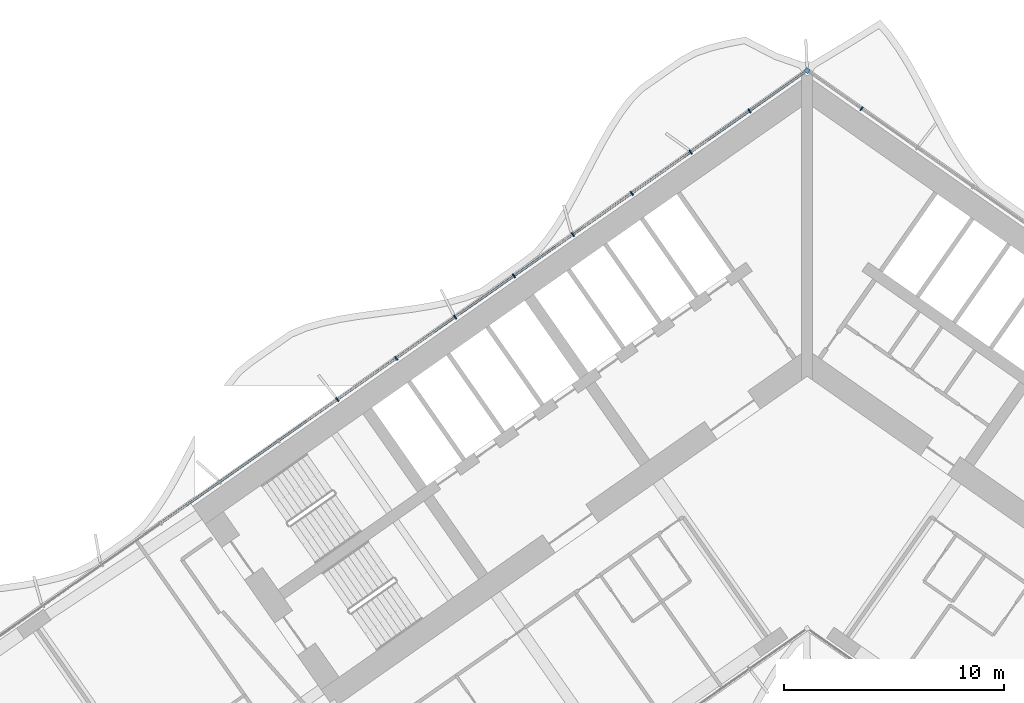
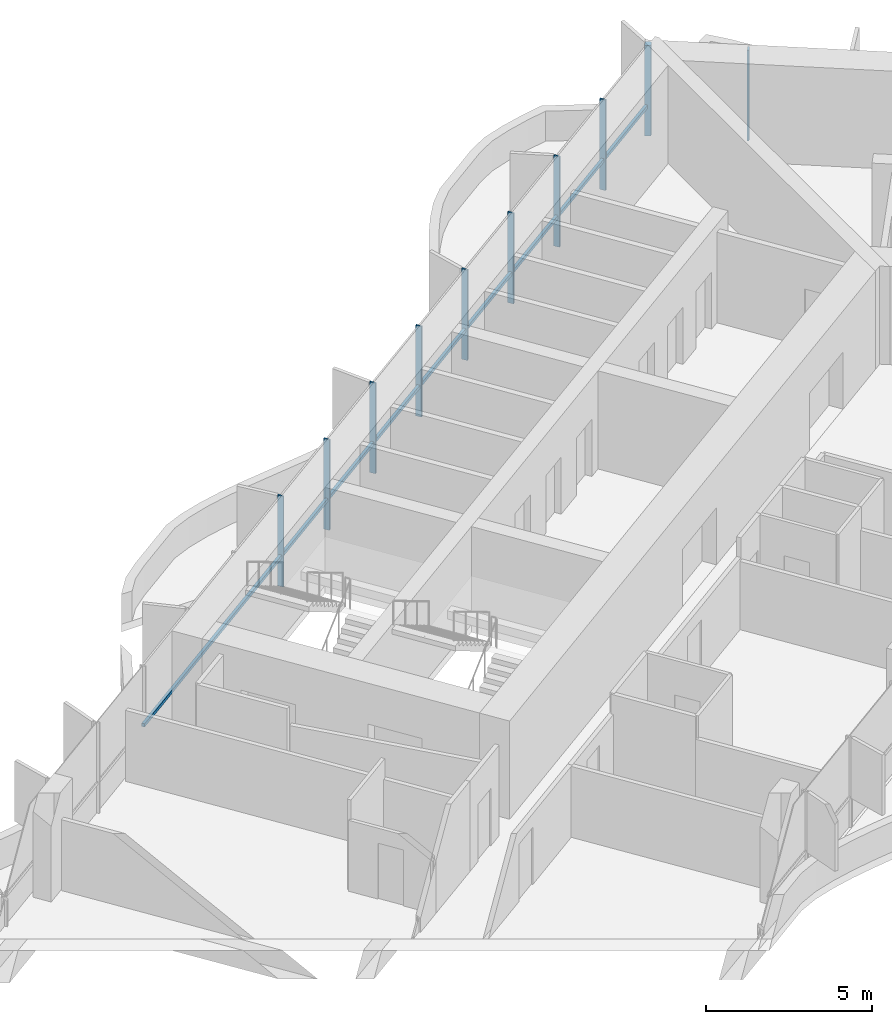
# One storey, part 7 of 25: 11 members, 1 element without a shape of its own.
"""IFC4 building model written with IfcOpenShell, lengths in metres."""

import ifcopenshell
import ifcopenshell.guid

model = None  # the IFC model being written
_history = None  # IfcOwnerHistory: only IFC2X3 demands one
_inside = {}  # id of a spatial element -> (the spatial element, [elements in it])
_under = {}  # id of a project, library or spatial element -> (it, [spatial elements below it])
_declared = {}  # id of a project -> (the project, [libraries it declares])
_typed = {}  # id of a type object -> (the type object, [elements of that type])
_made_of = {}  # id of a material, layer set ... -> (it, [elements and type objects made of it])


def new_model(schema):
    """Start an empty IFC model of exactly this schema.

    Asked for "IFC4X3", IfcOpenShell would pick the latest addendum, in which some entities
    have other attributes; the version numbers below select the first issue.
    IFC2X3 requires an IfcOwnerHistory on every rooted entity: one is made here for all.
    """
    global model, _history
    if schema == "IFC4X3":
        model = ifcopenshell.file(schema_version=(4, 3, 0, 0))
    else:
        model = ifcopenshell.file(schema=schema)
    _inside.clear()
    _under.clear()
    _declared.clear()
    _typed.clear()
    _made_of.clear()
    _history = None
    if model.schema == "IFC2X3":
        org = make("IfcOrganization", Name="unknown")
        user = make(
            "IfcPersonAndOrganization",
            ThePerson=make("IfcPerson", FamilyName="unknown"),
            TheOrganization=org,
        )
        app = make(
            "IfcApplication",
            ApplicationDeveloper=org,
            Version="unknown",
            ApplicationFullName="unknown",
            ApplicationIdentifier="unknown",
        )
        _history = make(
            "IfcOwnerHistory",
            OwningUser=user,
            OwningApplication=app,
            ChangeAction="ADDED",
            CreationDate=0,
        )
    return model


def make(cls, **values):
    """One entity of the class cls with the attributes given. An attribute that is None is left unset."""
    return model.create_entity(
        cls, **{name: value for name, value in values.items() if value is not None}
    )


def rooted(cls, **values):
    """An entity with a GlobalId (a new one), such as an element, a storey or a relation."""
    return make(cls, GlobalId=ifcopenshell.guid.new(), OwnerHistory=_history, **values)


def si_unit(unit_type, name, prefix=None):
    """IfcSIUnit, for example si_unit("LENGTHUNIT", "METRE", prefix="MILLI")."""
    return make("IfcSIUnit", UnitType=unit_type, Prefix=prefix, Name=name)


def assignment(units):
    """IfcUnitAssignment: the units of a project."""
    return None if units is None else make("IfcUnitAssignment", Units=units)


def point(xyz):
    """IfcCartesianPoint."""
    return None if xyz is None else make("IfcCartesianPoint", Coordinates=xyz)


def direction(xyz):
    """IfcDirection."""
    return None if xyz is None else make("IfcDirection", DirectionRatios=xyz)


def frame(location, z_axis=None, x_axis=None):
    """IfcAxis2Placement3D, a coordinate frame: its origin and axes. An axis left out is left unset."""
    return make(
        "IfcAxis2Placement3D",
        Location=point(location),
        Axis=direction(z_axis),
        RefDirection=direction(x_axis),
    )


def frame_2d(location, x_axis=None):
    """IfcAxis2Placement2D, a coordinate frame in the plane: its origin and x axis."""
    return make(
        "IfcAxis2Placement2D", Location=point(location), RefDirection=direction(x_axis)
    )


def origin():
    """The frame at (0, 0, 0) with its axes left unset."""
    return frame((0.0, 0.0, 0.0))


def origin_2d():
    """The frame at (0, 0) in the plane with its x axis left unset."""
    return frame_2d((0.0, 0.0))


def place(relative_to, where):
    """IfcLocalPlacement: puts the frame where relative to a parent placement (None: the world)."""
    return make(
        "IfcLocalPlacement", PlacementRelTo=relative_to, RelativePlacement=where
    )


def context(
    kind, dimensions, precision=None, world=None, true_north=None, identifier=None
):
    """IfcGeometricRepresentationContext, for example the 3D "Model" context."""
    return make(
        "IfcGeometricRepresentationContext",
        ContextIdentifier=identifier,
        ContextType=kind,
        CoordinateSpaceDimension=dimensions,
        Precision=precision,
        WorldCoordinateSystem=world,
        TrueNorth=true_north,
    )


def subcontext(parent, identifier, kind, view, scale=None):
    """IfcGeometricRepresentationSubContext, for example "Body" below "Model"."""
    return make(
        "IfcGeometricRepresentationSubContext",
        ContextIdentifier=identifier,
        ContextType=kind,
        ParentContext=parent,
        TargetScale=scale,
        TargetView=view,
    )


def project(units=None, contexts=None):
    """IfcProject with its units and contexts."""
    return rooted(
        "IfcProject",
        Name="project",
        RepresentationContexts=contexts,
        UnitsInContext=assignment(units),
    )


def spatial(cls, under=None, at=None, **own):
    """A site, building, storey or space (cls), placed at a placement, below another one or the project."""
    s = rooted(cls, ObjectPlacement=at, **own)
    if under is not None:
        _under.setdefault(under.id(), (under, []))[1].append(s)
    return s


def profile(cls, at=None, kind="AREA", **sizes):
    """A parametric profile (cls). Its sizes go by their IFC names, for example OverallWidth=200.0."""
    return make(cls, ProfileType=kind, Position=at, **sizes)


def rectangle(**sizes):
    """IfcRectangleProfileDef."""
    return profile("IfcRectangleProfileDef", **sizes)


def extrude(swept, where, along, depth):
    """IfcExtrudedAreaSolid: the profile swept, set in the frame where, extruded along a direction by depth."""
    return make(
        "IfcExtrudedAreaSolid",
        SweptArea=swept,
        Position=where,
        ExtrudedDirection=direction(along),
        Depth=depth,
    )


def shape(context_of_items, identifier, shape_type, items):
    """IfcShapeRepresentation: the items that make up one representation, for example the "Body"."""
    return make(
        "IfcShapeRepresentation",
        ContextOfItems=context_of_items,
        RepresentationIdentifier=identifier,
        RepresentationType=shape_type,
        Items=items,
    )


def material(Name=None, Category=None):
    """IfcMaterial."""
    return make("IfcMaterial", Name=Name, Category=Category)


def material_profile(
    of_material, cross_section, Name=None, Category=None, Priority=None
):
    """IfcMaterialProfile: a cross section and its material."""
    return make(
        "IfcMaterialProfile",
        Name=Name,
        Material=of_material,
        Profile=cross_section,
        Priority=Priority,
        Category=Category,
    )


def profile_set(profiles, Name=None, composite=None):
    """IfcMaterialProfileSet."""
    return make(
        "IfcMaterialProfileSet",
        Name=Name,
        MaterialProfiles=profiles,
        CompositeProfile=composite,
    )


def made_of(thing, what):
    """Note that an element or type object is made of a material, layer set ...; save() writes the relation."""
    if what is not None:
        _made_of.setdefault(what.id(), (what, []))[1].append(thing)
    return thing


def type_object(cls, material=None, **own):
    """A type object (cls), such as IfcWallType, which elements share."""
    return made_of(rooted(cls, **own), material)


def element(
    cls,
    number,
    at=None,
    inside=None,
    cuts=None,
    type_object=None,
    material=None,
    context=None,
    identifier="Body",
    shape_type=None,
    held_by="IfcProductDefinitionShape",
    body=None,
    shapes=None,
    **own,
):
    """One element of the class cls, such as IfcWall. Its Tag is "e" and its number.

    at: its placement. inside: the storey or other place that contains it. cuts: it is an
    opening in that element (IfcRelVoidsElement). A single representation is given by context,
    identifier, shape_type and body (its items); several are given by shapes. held_by: the class
    of the entity that holds the representations. save() writes the other relations.
    """
    e = rooted(cls, Tag="e%d" % number, ObjectPlacement=at, **own)
    if body is not None:
        shapes = [shape(context, identifier, shape_type, body)]
    if shapes is not None:
        e.Representation = make(held_by, Representations=shapes)
    if inside is not None:
        _inside.setdefault(inside.id(), (inside, []))[1].append(e)
    if cuts is not None:
        rooted(
            "IfcRelVoidsElement", RelatingBuildingElement=cuts, RelatedOpeningElement=e
        )
    if type_object is not None:
        _typed.setdefault(type_object.id(), (type_object, []))[1].append(e)
    return made_of(e, material)


def aggregate(whole, parts):
    """IfcRelAggregates: a whole, such as a stair, and the parts it consists of."""
    return rooted("IfcRelAggregates", RelatingObject=whole, RelatedObjects=parts)


def save(model, path):
    """Write the relations noted so far, then the file.

    IfcRelAggregates (storeys below a building ...), IfcRelContainedInSpatialStructure (elements
    in a storey), IfcRelDefinesByType, IfcRelAssociatesMaterial and IfcRelDeclares: one each for
    every whole, place, type object, material and project.
    """
    for whole, parts in _under.values():
        aggregate(whole, parts)
    for where, things in _inside.values():
        rooted(
            "IfcRelContainedInSpatialStructure",
            RelatedElements=things,
            RelatingStructure=where,
        )
    for kind, things in _typed.values():
        rooted("IfcRelDefinesByType", RelatedObjects=things, RelatingType=kind)
    for what, things in _made_of.values():
        rooted("IfcRelAssociatesMaterial", RelatedObjects=things, RelatingMaterial=what)
    for by, libraries in _declared.values():
        rooted("IfcRelDeclares", RelatingContext=by, RelatedDefinitions=libraries)
    model.write(path)


model = new_model("IFC4")

# Units and contexts
model_context = context("Model", 3, precision=1e-05, world=origin(), true_north=direction((0.0, 1.0)))
body_context = subcontext(model_context, "Body", "Model", "MODEL_VIEW")
ifc_project = project(units=[si_unit("LENGTHUNIT", "METRE"), si_unit("AREAUNIT", "SQUARE_METRE"), si_unit("VOLUMEUNIT", "CUBIC_METRE"), si_unit("PLANEANGLEUNIT", "RADIAN"), si_unit("MASSUNIT", "GRAM", prefix="KILO")], contexts=[model_context])

# Site, building, storey
site_placement = place(None, origin())
site = spatial("IfcSite", under=ifc_project, at=site_placement, CompositionType="ELEMENT")
building_placement = place(site_placement, origin())
building = spatial("IfcBuilding", under=site, at=building_placement, Name="Tel Ilan Convention Tower", CompositionType="ELEMENT")
storey_placement = place(building_placement, frame((0.0, 0.0, 76.10009765625)))
storey = spatial("IfcBuildingStorey", under=building, at=storey_placement, Name="L14", CompositionType="ELEMENT", Elevation=76.10009765625)

# Curtain wall, members
ifc_material_1 = material(Name="Aluminium, bronze anodised", Category="aluminium")
curtain_wall_type = type_object("IfcCurtainWallType", Name="CW2 STICK CURTAIN WALL, SPANDREL PANELS", PredefinedType="NOTDEFINED", material=ifc_material_1)
curtain_wall_placement = place(storey_placement, origin())
curtain_wall = element("IfcCurtainWall", 1, at=curtain_wall_placement, inside=storey, type_object=curtain_wall_type, Name="Curtain wall CW2-14.05", PredefinedType="NOTDEFINED")
ifc_material_2 = material(Name="Aluminium, bronze anodised", Category="aluminium")
ifc_material_profile_1 = material_profile(ifc_material_2, rectangle(XDim=0.199951171875, YDim=0.199951171875, at=origin_2d()), Name="CW CORNER MULLION 200x200")
ifc_profile_set_1 = profile_set([ifc_material_profile_1], Name="Aluminium, bronze anodised")
member_type_1 = type_object("IfcMemberType", Name="CW CORNER MULLION 200x200", PredefinedType="MULLION", material=ifc_profile_set_1)
member_1_placement = place(storey_placement, frame((0.0, 12.696044921875, 0.0), z_axis=(0.0, 0.0, 1.0), x_axis=(-0.819152044289, 0.573576436351, 0.0)))
member_1 = element("IfcMember", 2, at=member_1_placement, type_object=member_type_1, Name="Corner mullion", PredefinedType="MULLION", context=body_context, shape_type="SweptSolid", body=[
    extrude(rectangle(XDim=0.199951171875, YDim=0.199951171875, at=origin_2d()), origin(), (0.0, 0.0, 1.0), 3.31982421875),
])
ifc_material_3 = material(Name="Aluminium, bronze anodised", Category="aluminium")
ifc_material_profile_2 = material_profile(ifc_material_3, rectangle(XDim=0.06005859375, YDim=0.199951171875, at=origin_2d()), Name="CW MULLION 60x200")
ifc_profile_set_2 = profile_set([ifc_material_profile_2], Name="Aluminium, bronze anodised")
member_type_2 = type_object("IfcMemberType", Name="CW MULLION 60x200", PredefinedType="MULLION", material=ifc_profile_set_2)
member_2_placement = place(storey_placement, frame((2.4794921875, 10.9599609375, 0.0), z_axis=(0.0, 0.0, 1.0), x_axis=(-0.819152044289, 0.573576436351, 0.0)))
member_2 = element("IfcMember", 3, at=member_2_placement, type_object=member_type_2, Name="Mullion", PredefinedType="MULLION", context=body_context, shape_type="SweptSolid", body=[
    extrude(rectangle(XDim=0.06005859375, YDim=0.199951171875, at=origin_2d()), origin(), (0.0, 0.0, 1.0), 3.31982421875),
])
member_3_placement = place(storey_placement, frame((-2.622802734375, 10.859375, 0.0), z_axis=(0.0, 0.0, 1.0), x_axis=(-0.819152044289, -0.573576436351, 0.0)))
member_3 = element("IfcMember", 4, at=member_3_placement, type_object=member_type_2, Name="Mullion", PredefinedType="MULLION", context=body_context, shape_type="SweptSolid", body=[
    extrude(rectangle(XDim=0.06005859375, YDim=0.199951171875, at=origin_2d()), origin(), (0.0, 0.0, 1.0), 3.31982421875),
])
member_4_placement = place(storey_placement, frame((-5.30322265625, 8.982666015625, 0.0), z_axis=(0.0, 0.0, 1.0), x_axis=(-0.819152044289, -0.573576436351, 0.0)))
member_4 = element("IfcMember", 5, at=member_4_placement, type_object=member_type_2, Name="Mullion", PredefinedType="MULLION", context=body_context, shape_type="SweptSolid", body=[
    extrude(rectangle(XDim=0.06005859375, YDim=0.199951171875, at=origin_2d()), origin(), (0.0, 0.0, 1.0), 3.31982421875),
])
member_5_placement = place(storey_placement, frame((-7.9833984375, 7.10595703125, 0.0), z_axis=(0.0, 0.0, 1.0), x_axis=(-0.819152044289, -0.573576436351, 0.0)))
member_5 = element("IfcMember", 6, at=member_5_placement, type_object=member_type_2, Name="Mullion", PredefinedType="MULLION", context=body_context, shape_type="SweptSolid", body=[
    extrude(rectangle(XDim=0.06005859375, YDim=0.199951171875, at=origin_2d()), origin(), (0.0, 0.0, 1.0), 3.31982421875),
])
member_6_placement = place(storey_placement, frame((-10.663818359375, 5.229248046875, 0.0), z_axis=(0.0, 0.0, 1.0), x_axis=(-0.819152044289, -0.573576436351, 0.0)))
member_6 = element("IfcMember", 7, at=member_6_placement, type_object=member_type_2, Name="Mullion", PredefinedType="MULLION", context=body_context, shape_type="SweptSolid", body=[
    extrude(rectangle(XDim=0.06005859375, YDim=0.199951171875, at=origin_2d()), origin(), (0.0, 0.0, 1.0), 3.31982421875),
])
member_7_placement = place(storey_placement, frame((-13.343994140625, 3.3525390625, 0.0), z_axis=(0.0, 0.0, 1.0), x_axis=(-0.819152044289, -0.573576436351, 0.0)))
member_7 = element("IfcMember", 8, at=member_7_placement, type_object=member_type_2, Name="Mullion", PredefinedType="MULLION", context=body_context, shape_type="SweptSolid", body=[
    extrude(rectangle(XDim=0.06005859375, YDim=0.199951171875, at=origin_2d()), origin(), (0.0, 0.0, 1.0), 3.31982421875),
])
member_8_placement = place(storey_placement, frame((-16.024169921875, 1.475830078125, 0.0), z_axis=(0.0, 0.0, 1.0), x_axis=(-0.819152044289, -0.573576436351, 0.0)))
member_8 = element("IfcMember", 9, at=member_8_placement, type_object=member_type_2, Name="Mullion", PredefinedType="MULLION", context=body_context, shape_type="SweptSolid", body=[
    extrude(rectangle(XDim=0.06005859375, YDim=0.199951171875, at=origin_2d()), origin(), (0.0, 0.0, 1.0), 3.31982421875),
])
member_9_placement = place(storey_placement, frame((-18.70458984375, -0.401123046875, 0.0), z_axis=(0.0, 0.0, 1.0), x_axis=(-0.819152044289, -0.573576436351, 0.0)))
member_9 = element("IfcMember", 10, at=member_9_placement, type_object=member_type_2, Name="Mullion", PredefinedType="MULLION", context=body_context, shape_type="SweptSolid", body=[
    extrude(rectangle(XDim=0.06005859375, YDim=0.199951171875, at=origin_2d()), origin(), (0.0, 0.0, 1.0), 3.31982421875),
])
member_10_placement = place(storey_placement, frame((-21.384765625, -2.27783203125, 0.0), z_axis=(0.0, 0.0, 1.0), x_axis=(-0.819152044289, -0.573576436351, 0.0)))
member_10 = element("IfcMember", 11, at=member_10_placement, type_object=member_type_2, Name="Mullion", PredefinedType="MULLION", context=body_context, shape_type="SweptSolid", body=[
    extrude(rectangle(XDim=0.06005859375, YDim=0.199951171875, at=origin_2d()), origin(), (0.0, 0.0, 1.0), 3.31982421875),
])
ifc_material_4 = material(Name="Aluminium, bronze anodised", Category="aluminium")
ifc_material_profile_3 = material_profile(ifc_material_4, rectangle(XDim=0.10009765625, YDim=0.1201171875, at=origin_2d()), Name="CW TRANSOM 100x120")
ifc_profile_set_3 = profile_set([ifc_material_profile_3], Name="Aluminium, bronze anodised")
member_type_3 = type_object("IfcMemberType", Name="CW TRANSOM 100x120", PredefinedType="USERDEFINED", material=ifc_profile_set_3)
member_11_placement = place(storey_placement, frame((-0.1064453125, 12.62158203125, 1.099853515625), z_axis=(-0.81915076999, -0.573578256234, 0.0), x_axis=(0.573578256234, -0.81915076999, 0.0)))
member_11 = element("IfcMember", 12, at=member_11_placement, type_object=member_type_3, Name="Transom", ObjectType="TRANSOM", PredefinedType="USERDEFINED", context=body_context, shape_type="SweptSolid", body=[
    extrude(rectangle(XDim=0.10009765625, YDim=0.1201171875, at=origin_2d()), origin(), (0.0, 0.0, 1.0), 35.76220703125),
])
aggregate(curtain_wall, [member_2, member_1, member_3, member_4, member_5, member_6, member_7, member_8, member_9, member_10, member_11])

save(model, "model.ifc")
